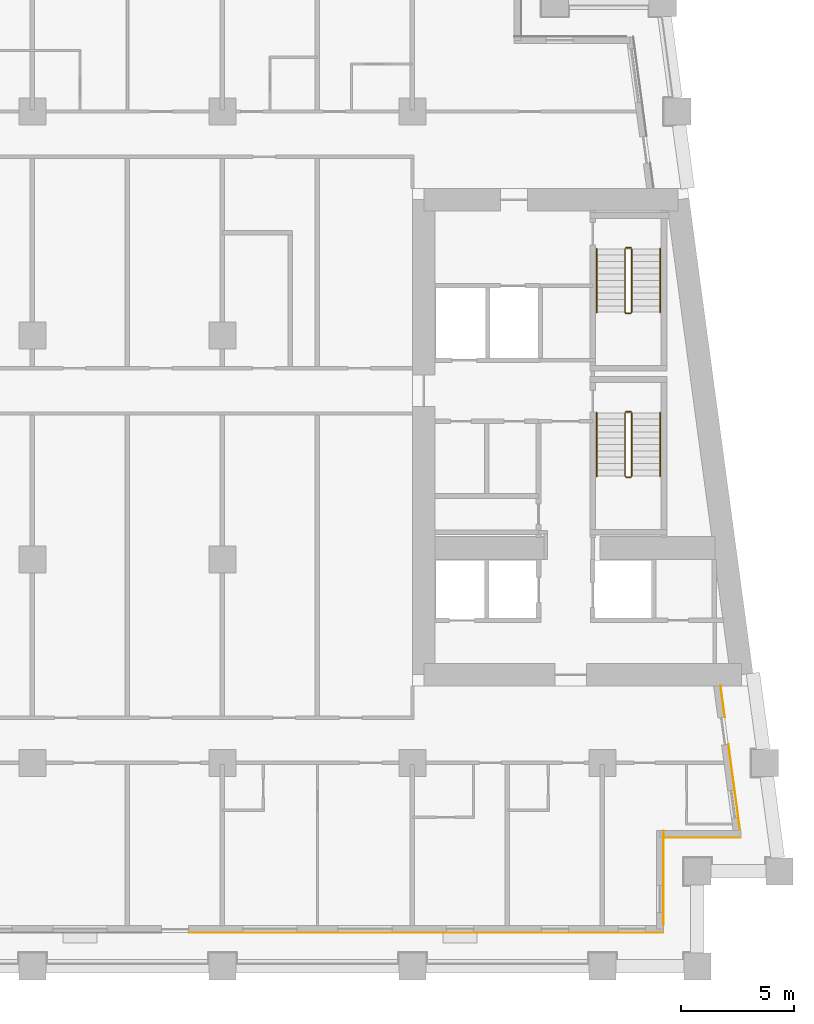
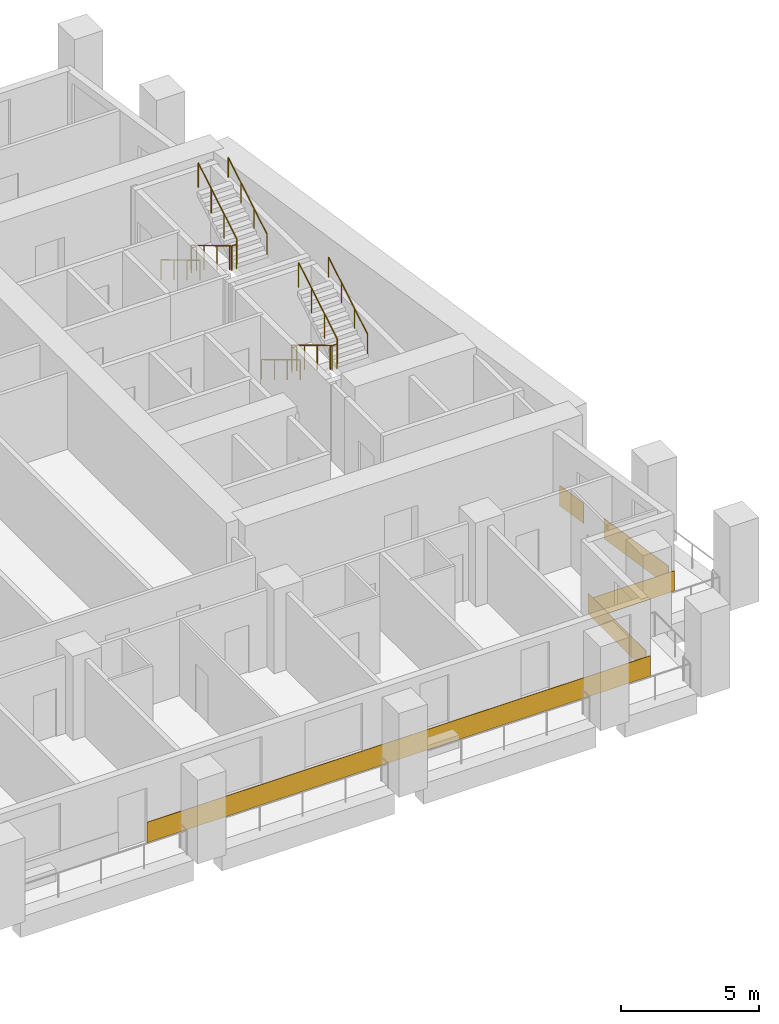
# One storey, part 11 of 13: 8 railings, 5 coverings.
"""IFC4 building model written with IfcOpenShell, lengths in metres."""

import ifcopenshell
import ifcopenshell.guid

model = None  # the IFC model being written
_history = None  # IfcOwnerHistory: only IFC2X3 demands one
_inside = {}  # id of a spatial element -> (the spatial element, [elements in it])
_under = {}  # id of a project, library or spatial element -> (it, [spatial elements below it])
_declared = {}  # id of a project -> (the project, [libraries it declares])
_typed = {}  # id of a type object -> (the type object, [elements of that type])
_made_of = {}  # id of a material, layer set ... -> (it, [elements and type objects made of it])


def new_model(schema):
    """Start an empty IFC model of exactly this schema.

    Asked for "IFC4X3", IfcOpenShell would pick the latest addendum, in which some entities
    have other attributes; the version numbers below select the first issue.
    IFC2X3 requires an IfcOwnerHistory on every rooted entity: one is made here for all.
    """
    global model, _history
    if schema == "IFC4X3":
        model = ifcopenshell.file(schema_version=(4, 3, 0, 0))
    else:
        model = ifcopenshell.file(schema=schema)
    _inside.clear()
    _under.clear()
    _declared.clear()
    _typed.clear()
    _made_of.clear()
    _history = None
    if model.schema == "IFC2X3":
        org = make("IfcOrganization", Name="unknown")
        user = make(
            "IfcPersonAndOrganization",
            ThePerson=make("IfcPerson", FamilyName="unknown"),
            TheOrganization=org,
        )
        app = make(
            "IfcApplication",
            ApplicationDeveloper=org,
            Version="unknown",
            ApplicationFullName="unknown",
            ApplicationIdentifier="unknown",
        )
        _history = make(
            "IfcOwnerHistory",
            OwningUser=user,
            OwningApplication=app,
            ChangeAction="ADDED",
            CreationDate=0,
        )
    return model


def make(cls, **values):
    """One entity of the class cls with the attributes given. An attribute that is None is left unset."""
    return model.create_entity(
        cls, **{name: value for name, value in values.items() if value is not None}
    )


def rooted(cls, **values):
    """An entity with a GlobalId (a new one), such as an element, a storey or a relation."""
    return make(cls, GlobalId=ifcopenshell.guid.new(), OwnerHistory=_history, **values)


def si_unit(unit_type, name, prefix=None):
    """IfcSIUnit, for example si_unit("LENGTHUNIT", "METRE", prefix="MILLI")."""
    return make("IfcSIUnit", UnitType=unit_type, Prefix=prefix, Name=name)


def assignment(units):
    """IfcUnitAssignment: the units of a project."""
    return None if units is None else make("IfcUnitAssignment", Units=units)


def point(xyz):
    """IfcCartesianPoint."""
    return None if xyz is None else make("IfcCartesianPoint", Coordinates=xyz)


def direction(xyz):
    """IfcDirection."""
    return None if xyz is None else make("IfcDirection", DirectionRatios=xyz)


def frame(location, z_axis=None, x_axis=None):
    """IfcAxis2Placement3D, a coordinate frame: its origin and axes. An axis left out is left unset."""
    return make(
        "IfcAxis2Placement3D",
        Location=point(location),
        Axis=direction(z_axis),
        RefDirection=direction(x_axis),
    )


def frame_2d(location, x_axis=None):
    """IfcAxis2Placement2D, a coordinate frame in the plane: its origin and x axis."""
    return make(
        "IfcAxis2Placement2D", Location=point(location), RefDirection=direction(x_axis)
    )


def origin():
    """The frame at (0, 0, 0) with its axes left unset."""
    return frame((0.0, 0.0, 0.0))


def origin_2d():
    """The frame at (0, 0) in the plane with its x axis left unset."""
    return frame_2d((0.0, 0.0))


def place(relative_to, where):
    """IfcLocalPlacement: puts the frame where relative to a parent placement (None: the world)."""
    return make(
        "IfcLocalPlacement", PlacementRelTo=relative_to, RelativePlacement=where
    )


def context(
    kind, dimensions, precision=None, world=None, true_north=None, identifier=None
):
    """IfcGeometricRepresentationContext, for example the 3D "Model" context."""
    return make(
        "IfcGeometricRepresentationContext",
        ContextIdentifier=identifier,
        ContextType=kind,
        CoordinateSpaceDimension=dimensions,
        Precision=precision,
        WorldCoordinateSystem=world,
        TrueNorth=true_north,
    )


def subcontext(parent, identifier, kind, view, scale=None):
    """IfcGeometricRepresentationSubContext, for example "Body" below "Model"."""
    return make(
        "IfcGeometricRepresentationSubContext",
        ContextIdentifier=identifier,
        ContextType=kind,
        ParentContext=parent,
        TargetScale=scale,
        TargetView=view,
    )


def project(units=None, contexts=None):
    """IfcProject with its units and contexts."""
    return rooted(
        "IfcProject",
        Name="project",
        RepresentationContexts=contexts,
        UnitsInContext=assignment(units),
    )


def spatial(cls, under=None, at=None, **own):
    """A site, building, storey or space (cls), placed at a placement, below another one or the project."""
    s = rooted(cls, ObjectPlacement=at, **own)
    if under is not None:
        _under.setdefault(under.id(), (under, []))[1].append(s)
    return s


def profile(cls, at=None, kind="AREA", **sizes):
    """A parametric profile (cls). Its sizes go by their IFC names, for example OverallWidth=200.0."""
    return make(cls, ProfileType=kind, Position=at, **sizes)


def rectangle(**sizes):
    """IfcRectangleProfileDef."""
    return profile("IfcRectangleProfileDef", **sizes)


def circle(**sizes):
    """IfcCircleProfileDef."""
    return profile("IfcCircleProfileDef", **sizes)


def extrude(swept, where, along, depth):
    """IfcExtrudedAreaSolid: the profile swept, set in the frame where, extruded along a direction by depth."""
    return make(
        "IfcExtrudedAreaSolid",
        SweptArea=swept,
        Position=where,
        ExtrudedDirection=direction(along),
        Depth=depth,
    )


def shape(context_of_items, identifier, shape_type, items):
    """IfcShapeRepresentation: the items that make up one representation, for example the "Body"."""
    return make(
        "IfcShapeRepresentation",
        ContextOfItems=context_of_items,
        RepresentationIdentifier=identifier,
        RepresentationType=shape_type,
        Items=items,
    )


def material(Name=None, Category=None):
    """IfcMaterial."""
    return make("IfcMaterial", Name=Name, Category=Category)


def layer(
    of_material, thickness, ventilated=None, Name=None, Category=None, Priority=None
):
    """IfcMaterialLayer: one layer of a wall or slab, of a material (None: an air gap)."""
    return make(
        "IfcMaterialLayer",
        Material=of_material,
        LayerThickness=thickness,
        IsVentilated=ventilated,
        Name=Name,
        Category=Category,
        Priority=Priority,
    )


def layer_set(layers, Name=None):
    """IfcMaterialLayerSet."""
    return make("IfcMaterialLayerSet", MaterialLayers=layers, LayerSetName=Name)


def made_of(thing, what):
    """Note that an element or type object is made of a material, layer set ...; save() writes the relation."""
    if what is not None:
        _made_of.setdefault(what.id(), (what, []))[1].append(thing)
    return thing


def type_object(cls, material=None, **own):
    """A type object (cls), such as IfcWallType, which elements share."""
    return made_of(rooted(cls, **own), material)


def element(
    cls,
    number,
    at=None,
    inside=None,
    cuts=None,
    type_object=None,
    material=None,
    context=None,
    identifier="Body",
    shape_type=None,
    held_by="IfcProductDefinitionShape",
    body=None,
    shapes=None,
    **own,
):
    """One element of the class cls, such as IfcWall. Its Tag is "e" and its number.

    at: its placement. inside: the storey or other place that contains it. cuts: it is an
    opening in that element (IfcRelVoidsElement). A single representation is given by context,
    identifier, shape_type and body (its items); several are given by shapes. held_by: the class
    of the entity that holds the representations. save() writes the other relations.
    """
    e = rooted(cls, Tag="e%d" % number, ObjectPlacement=at, **own)
    if body is not None:
        shapes = [shape(context, identifier, shape_type, body)]
    if shapes is not None:
        e.Representation = make(held_by, Representations=shapes)
    if inside is not None:
        _inside.setdefault(inside.id(), (inside, []))[1].append(e)
    if cuts is not None:
        rooted(
            "IfcRelVoidsElement", RelatingBuildingElement=cuts, RelatedOpeningElement=e
        )
    if type_object is not None:
        _typed.setdefault(type_object.id(), (type_object, []))[1].append(e)
    return made_of(e, material)


def aggregate(whole, parts):
    """IfcRelAggregates: a whole, such as a stair, and the parts it consists of."""
    return rooted("IfcRelAggregates", RelatingObject=whole, RelatedObjects=parts)


def save(model, path):
    """Write the relations noted so far, then the file.

    IfcRelAggregates (storeys below a building ...), IfcRelContainedInSpatialStructure (elements
    in a storey), IfcRelDefinesByType, IfcRelAssociatesMaterial and IfcRelDeclares: one each for
    every whole, place, type object, material and project.
    """
    for whole, parts in _under.values():
        aggregate(whole, parts)
    for where, things in _inside.values():
        rooted(
            "IfcRelContainedInSpatialStructure",
            RelatedElements=things,
            RelatingStructure=where,
        )
    for kind, things in _typed.values():
        rooted("IfcRelDefinesByType", RelatedObjects=things, RelatingType=kind)
    for what, things in _made_of.values():
        rooted("IfcRelAssociatesMaterial", RelatedObjects=things, RelatingMaterial=what)
    for by, libraries in _declared.values():
        rooted("IfcRelDeclares", RelatingContext=by, RelatedDefinitions=libraries)
    model.write(path)


model = new_model("IFC4")

# Units and contexts
model_context = context("Model", 3, precision=1e-05, world=origin(), true_north=direction((0.0, 1.0)))
body_context = subcontext(model_context, "Body", "Model", "MODEL_VIEW")
ifc_project = project(units=[si_unit("LENGTHUNIT", "METRE"), si_unit("AREAUNIT", "SQUARE_METRE"), si_unit("VOLUMEUNIT", "CUBIC_METRE"), si_unit("PLANEANGLEUNIT", "RADIAN"), si_unit("MASSUNIT", "GRAM", prefix="KILO")], contexts=[model_context])

# Site, building, storey
site_placement = place(None, origin())
site = spatial("IfcSite", under=ifc_project, at=site_placement, CompositionType="ELEMENT")
building_placement = place(site_placement, origin())
building = spatial("IfcBuilding", under=site, at=building_placement, Name="Candeia Pilgrim Tower and Theatre", CompositionType="ELEMENT")
storey_placement = place(building_placement, frame((0.0, 0.0, 113.199951171875)))
storey = spatial("IfcBuildingStorey", under=building, at=storey_placement, Name="L26", CompositionType="ELEMENT", Elevation=113.199951171875)

# Coverings
ifc_material_1 = material(Name="Glazed ceramic tile red")
ifc_layer = layer(ifc_material_1, 0.02001953125)
ifc_layer_set = layer_set([ifc_layer], Name="Glazed ceramic tile red")
covering_type = type_object("IfcCoveringType", Name="Glazed ceramic tile red", PredefinedType="CLADDING", material=ifc_layer_set)
covering_1_placement = place(storey_placement, frame((126.60009765625, 99.489990234375, 0.0), z_axis=(0.0, 0.0, 1.0), x_axis=(1.0, 0.0, 0.0)))
element("IfcCovering", 1, at=covering_1_placement, inside=storey, type_object=covering_type, Name="Tile cladding red L26", PredefinedType="CLADDING", context=body_context, shape_type="SweptSolid", body=[
    extrude(rectangle(XDim=21.0, YDim=0.02001953125, at=origin_2d()), origin(), (0.0, 0.0, 1.0), 0.89990234375),
])
covering_2_placement = place(storey_placement, frame((137.110107421875, 101.909912109375, 0.0), z_axis=(0.0, 0.0, 1.0), x_axis=(0.0, 1.0, 0.0)))
element("IfcCovering", 2, at=covering_2_placement, inside=storey, type_object=covering_type, Name="Tile cladding red L26", PredefinedType="CLADDING", context=body_context, shape_type="SweptSolid", body=[
    extrude(rectangle(XDim=4.179931640625, YDim=0.02001953125, at=origin_2d()), origin(), (0.0, 0.0, 1.0), 0.89990234375),
])
covering_3_placement = place(storey_placement, frame((138.819580078125, 103.68994140625, 0.0), z_axis=(0.0, 0.0, 1.0), x_axis=(1.0, 0.0, 0.0)))
element("IfcCovering", 3, at=covering_3_placement, inside=storey, type_object=covering_type, Name="Tile cladding red L26", PredefinedType="CLADDING", context=body_context, shape_type="SweptSolid", body=[
    extrude(rectangle(XDim=3.399169921875, YDim=0.02001953125, at=origin_2d()), origin(), (0.0, 0.0, 1.0), 0.89990234375),
])
covering_4_placement = place(storey_placement, frame((140.228515625, 105.933349609375, 0.0), z_axis=(0.0, 0.0, 1.0), x_axis=(-0.133412012145, 0.991060661622, 0.0)))
element("IfcCovering", 4, at=covering_4_placement, inside=storey, type_object=covering_type, Name="Tile cladding red L26", PredefinedType="CLADDING", context=body_context, shape_type="SweptSolid", body=[
    extrude(rectangle(XDim=3.821044921875, YDim=0.02001953125, at=origin_2d()), origin(), (0.0, 0.0, 1.0), 0.89990234375),
])
covering_5_placement = place(storey_placement, frame((139.718994140625, 109.71875, 0.0), z_axis=(0.0, 0.0, 1.0), x_axis=(-0.133412012145, 0.991060661622, 0.0)))
element("IfcCovering", 5, at=covering_5_placement, inside=storey, type_object=covering_type, Name="Tile cladding red L26", PredefinedType="CLADDING", context=body_context, shape_type="SweptSolid", body=[
    extrude(rectangle(XDim=1.41796875, YDim=0.02001953125, at=origin_2d()), origin(), (0.0, 0.0, 1.0), 0.89990234375),
])

# Railings
ifc_material_2 = material(Name="Stainless steel balustrade", Category="steel")
railing_type_1 = type_object("IfcRailingType", Name="RL-GUARD-1100", PredefinedType="GUARDRAIL", material=ifc_material_2)
railing_1_placement = place(storey_placement, frame((135.39794921875, 122.47509765625, 0.168212890625)))
element("IfcRailing", 6, at=railing_1_placement, inside=storey, type_object=railing_type_1, Name="L26 ST3 stair guard 1", PredefinedType="GUARDRAIL", context=body_context, shape_type="SweptSolid", body=[
    extrude(circle(Radius=0.02392578125, at=origin_2d()), frame((0.0, 0.0, 1.076171875), z_axis=(0.0, -0.857242210791, 0.514913383045), x_axis=(1.0, 0.0, 0.0)), (0.0, 0.0, 1.0), 3.266357421875),
    extrude(circle(Radius=0.02392578125, at=origin_2d()), frame((0.0, -2.800048828125, 2.7578125), z_axis=(0.707106781187, -0.707106781187, 0.0), x_axis=(0.707106781187, 0.707106781187, 0.0)), (0.0, 0.0, 1.0), 0.07080078125),
    extrude(circle(Radius=0.02392578125, at=origin_2d()), frame((0.050048828125, -2.85009765625, 2.7578125), z_axis=(1.0, 0.0, 0.0), x_axis=(0.0, 1.0, 0.0)), (0.0, 0.0, 1.0), 0.199951171875),
    extrude(circle(Radius=0.02392578125, at=origin_2d()), frame((0.25, -2.85009765625, 2.7578125), z_axis=(0.274243871929, 0.274243871929, 0.92172696468), x_axis=(-0.707106781187, 0.707106781187, 0.0)), (0.0, 0.0, 1.0), 0.1826171875),
    extrude(circle(Radius=0.02392578125, at=origin_2d()), frame((0.300048828125, -2.800048828125, 2.92626953125), z_axis=(0.0, 0.857275202839, 0.514858452973), x_axis=(-1.0, 0.0, 0.0)), (0.0, 0.0, 1.0), 3.26611328125),
    extrude(circle(Radius=0.02099609375, at=origin_2d()), origin(), (0.0, 0.0, 1.0), 1.052001953125),
    extrude(circle(Radius=0.02099609375, at=origin_2d()), frame((0.0, -0.933349609375, 0.560546875)), (0.0, 0.0, 1.0), 1.052001953125),
    extrude(circle(Radius=0.02099609375, at=origin_2d()), frame((0.0, -1.86669921875, 1.121337890625)), (0.0, 0.0, 1.0), 1.052001953125),
    extrude(circle(Radius=0.02099609375, at=origin_2d()), frame((0.0, -2.800048828125, 1.681884765625)), (0.0, 0.0, 1.0), 1.052001953125),
    extrude(circle(Radius=0.02099609375, at=origin_2d()), frame((0.050048828125, -2.85009765625, 1.681884765625)), (0.0, 0.0, 1.0), 1.052001953125),
    extrude(circle(Radius=0.02099609375, at=origin_2d()), frame((0.25, -2.85009765625, 1.681884765625)), (0.0, 0.0, 1.0), 1.052001953125),
    extrude(circle(Radius=0.02099609375, at=origin_2d()), frame((0.300048828125, -2.800048828125, 1.85009765625)), (0.0, 0.0, 1.0), 1.052001953125),
    extrude(circle(Radius=0.02099609375, at=origin_2d()), frame((0.300048828125, -1.86669921875, 2.41064453125)), (0.0, 0.0, 1.0), 1.052001953125),
    extrude(circle(Radius=0.02099609375, at=origin_2d()), frame((0.300048828125, -0.933349609375, 2.97119140625)), (0.0, 0.0, 1.0), 1.052001953125),
    extrude(circle(Radius=0.02099609375, at=origin_2d()), frame((0.300048828125, 0.0, 3.53173828125)), (0.0, 0.0, 1.0), 1.052001953125),
])
railing_2_placement = place(storey_placement, frame((135.447998046875, 122.52490234375, 0.0)))
element("IfcRailing", 7, at=railing_2_placement, inside=storey, type_object=railing_type_1, Name="L26 ST3 stair guard 2", PredefinedType="GUARDRAIL", context=body_context, shape_type="SweptSolid", body=[
    extrude(circle(Radius=0.02392578125, at=origin_2d()), frame((0.0, 0.0, 1.076171875), z_axis=(1.0, 0.0, 0.0), x_axis=(0.0, 1.0, 0.0)), (0.0, 0.0, 1.0), 0.199951171875),
    extrude(circle(Radius=0.02099609375, at=origin_2d()), origin(), (0.0, 0.0, 1.0), 1.052001953125),
    extrude(circle(Radius=0.02099609375, at=origin_2d()), frame((0.199951171875, 0.0, 0.0)), (0.0, 0.0, 1.0), 1.052001953125),
])
railing_3_placement = place(storey_placement, frame((135.39794921875, 129.72509765625, 0.168212890625)))
element("IfcRailing", 8, at=railing_3_placement, inside=storey, type_object=railing_type_1, Name="L26 ST4 stair guard 1", PredefinedType="GUARDRAIL", context=body_context, shape_type="SweptSolid", body=[
    extrude(circle(Radius=0.02392578125, at=origin_2d()), frame((0.0, 0.0, 1.076171875), z_axis=(0.0, -0.857242210791, 0.514913383045), x_axis=(1.0, 0.0, 0.0)), (0.0, 0.0, 1.0), 3.266357421875),
    extrude(circle(Radius=0.02392578125, at=origin_2d()), frame((0.0, -2.800048828125, 2.7578125), z_axis=(0.707106781187, -0.707106781187, 0.0), x_axis=(0.707106781187, 0.707106781187, 0.0)), (0.0, 0.0, 1.0), 0.07080078125),
    extrude(circle(Radius=0.02392578125, at=origin_2d()), frame((0.050048828125, -2.85009765625, 2.7578125), z_axis=(1.0, 0.0, 0.0), x_axis=(0.0, 1.0, 0.0)), (0.0, 0.0, 1.0), 0.199951171875),
    extrude(circle(Radius=0.02392578125, at=origin_2d()), frame((0.25, -2.85009765625, 2.7578125), z_axis=(0.274243871929, 0.274243871929, 0.92172696468), x_axis=(-0.707106781187, 0.707106781187, 0.0)), (0.0, 0.0, 1.0), 0.1826171875),
    extrude(circle(Radius=0.02392578125, at=origin_2d()), frame((0.300048828125, -2.800048828125, 2.92626953125), z_axis=(0.0, 0.857275202839, 0.514858452973), x_axis=(-1.0, 0.0, 0.0)), (0.0, 0.0, 1.0), 3.26611328125),
    extrude(circle(Radius=0.02099609375, at=origin_2d()), origin(), (0.0, 0.0, 1.0), 1.052001953125),
    extrude(circle(Radius=0.02099609375, at=origin_2d()), frame((0.0, -0.933349609375, 0.560546875)), (0.0, 0.0, 1.0), 1.052001953125),
    extrude(circle(Radius=0.02099609375, at=origin_2d()), frame((0.0, -1.86669921875, 1.121337890625)), (0.0, 0.0, 1.0), 1.052001953125),
    extrude(circle(Radius=0.02099609375, at=origin_2d()), frame((0.0, -2.800048828125, 1.681884765625)), (0.0, 0.0, 1.0), 1.052001953125),
    extrude(circle(Radius=0.02099609375, at=origin_2d()), frame((0.050048828125, -2.85009765625, 1.681884765625)), (0.0, 0.0, 1.0), 1.052001953125),
    extrude(circle(Radius=0.02099609375, at=origin_2d()), frame((0.25, -2.85009765625, 1.681884765625)), (0.0, 0.0, 1.0), 1.052001953125),
    extrude(circle(Radius=0.02099609375, at=origin_2d()), frame((0.300048828125, -2.800048828125, 1.85009765625)), (0.0, 0.0, 1.0), 1.052001953125),
    extrude(circle(Radius=0.02099609375, at=origin_2d()), frame((0.300048828125, -1.86669921875, 2.41064453125)), (0.0, 0.0, 1.0), 1.052001953125),
    extrude(circle(Radius=0.02099609375, at=origin_2d()), frame((0.300048828125, -0.933349609375, 2.97119140625)), (0.0, 0.0, 1.0), 1.052001953125),
    extrude(circle(Radius=0.02099609375, at=origin_2d()), frame((0.300048828125, 0.0, 3.53173828125)), (0.0, 0.0, 1.0), 1.052001953125),
])
railing_4_placement = place(storey_placement, frame((135.447998046875, 129.77490234375, 0.0)))
element("IfcRailing", 9, at=railing_4_placement, inside=storey, type_object=railing_type_1, Name="L26 ST4 stair guard 2", PredefinedType="GUARDRAIL", context=body_context, shape_type="SweptSolid", body=[
    extrude(circle(Radius=0.02392578125, at=origin_2d()), frame((0.0, 0.0, 1.076171875), z_axis=(1.0, 0.0, 0.0), x_axis=(0.0, 1.0, 0.0)), (0.0, 0.0, 1.0), 0.199951171875),
    extrude(circle(Radius=0.02099609375, at=origin_2d()), origin(), (0.0, 0.0, 1.0), 1.052001953125),
    extrude(circle(Radius=0.02099609375, at=origin_2d()), frame((0.199951171875, 0.0, 0.0)), (0.0, 0.0, 1.0), 1.052001953125),
])
ifc_material_3 = material(Name="Stainless steel handrail", Category="steel")
railing_type_2 = type_object("IfcRailingType", Name="RL-HANDRAIL-900", PredefinedType="HANDRAIL", material=ifc_material_3)
railing_5_placement = place(storey_placement, frame((134.14794921875, 122.47509765625, 0.168212890625)))
element("IfcRailing", 10, at=railing_5_placement, inside=storey, type_object=railing_type_2, Name="L26 ST3 stair handrail 1", PredefinedType="HANDRAIL", context=body_context, shape_type="SweptSolid", body=[
    extrude(circle(Radius=0.02392578125, at=origin_2d()), frame((0.0, 0.0, 0.8759765625), z_axis=(0.0, -0.857242210791, 0.514913383045), x_axis=(1.0, 0.0, 0.0)), (0.0, 0.0, 1.0), 3.266357421875),
    extrude(circle(Radius=0.02099609375, at=origin_2d()), origin(), (0.0, 0.0, 1.0), 0.851806640625),
    extrude(circle(Radius=0.02099609375, at=origin_2d()), frame((0.0, -0.933349609375, 0.560546875)), (0.0, 0.0, 1.0), 0.851806640625),
    extrude(circle(Radius=0.02099609375, at=origin_2d()), frame((0.0, -1.86669921875, 1.121337890625)), (0.0, 0.0, 1.0), 0.851806640625),
    extrude(circle(Radius=0.02099609375, at=origin_2d()), frame((0.0, -2.800048828125, 1.681884765625)), (0.0, 0.0, 1.0), 0.851806640625),
])
railing_6_placement = place(storey_placement, frame((136.947998046875, 119.675048828125, 2.018310546875)))
element("IfcRailing", 11, at=railing_6_placement, inside=storey, type_object=railing_type_2, Name="L26 ST3 stair handrail 2", PredefinedType="HANDRAIL", context=body_context, shape_type="SweptSolid", body=[
    extrude(circle(Radius=0.02392578125, at=origin_2d()), frame((0.0, 0.0, 0.8759765625), z_axis=(0.0, 0.857275202839, 0.514858452973), x_axis=(-1.0, 0.0, 0.0)), (0.0, 0.0, 1.0), 3.26611328125),
    extrude(circle(Radius=0.02099609375, at=origin_2d()), origin(), (0.0, 0.0, 1.0), 0.851806640625),
    extrude(circle(Radius=0.02099609375, at=origin_2d()), frame((0.0, 0.933349609375, 0.560546875)), (0.0, 0.0, 1.0), 0.851806640625),
    extrude(circle(Radius=0.02099609375, at=origin_2d()), frame((0.0, 1.86669921875, 1.12109375)), (0.0, 0.0, 1.0), 0.851806640625),
    extrude(circle(Radius=0.02099609375, at=origin_2d()), frame((0.0, 2.800048828125, 1.681640625)), (0.0, 0.0, 1.0), 0.851806640625),
])
railing_7_placement = place(storey_placement, frame((134.14794921875, 129.72509765625, 0.168212890625)))
element("IfcRailing", 12, at=railing_7_placement, inside=storey, type_object=railing_type_2, Name="L26 ST4 stair handrail 1", PredefinedType="HANDRAIL", context=body_context, shape_type="SweptSolid", body=[
    extrude(circle(Radius=0.02392578125, at=origin_2d()), frame((0.0, 0.0, 0.8759765625), z_axis=(0.0, -0.857242210791, 0.514913383045), x_axis=(1.0, 0.0, 0.0)), (0.0, 0.0, 1.0), 3.266357421875),
    extrude(circle(Radius=0.02099609375, at=origin_2d()), origin(), (0.0, 0.0, 1.0), 0.851806640625),
    extrude(circle(Radius=0.02099609375, at=origin_2d()), frame((0.0, -0.933349609375, 0.560546875)), (0.0, 0.0, 1.0), 0.851806640625),
    extrude(circle(Radius=0.02099609375, at=origin_2d()), frame((0.0, -1.86669921875, 1.121337890625)), (0.0, 0.0, 1.0), 0.851806640625),
    extrude(circle(Radius=0.02099609375, at=origin_2d()), frame((0.0, -2.800048828125, 1.681884765625)), (0.0, 0.0, 1.0), 0.851806640625),
])
railing_8_placement = place(storey_placement, frame((136.947998046875, 126.925048828125, 2.018310546875)))
element("IfcRailing", 13, at=railing_8_placement, inside=storey, type_object=railing_type_2, Name="L26 ST4 stair handrail 2", PredefinedType="HANDRAIL", context=body_context, shape_type="SweptSolid", body=[
    extrude(circle(Radius=0.02392578125, at=origin_2d()), frame((0.0, 0.0, 0.8759765625), z_axis=(0.0, 0.857275202839, 0.514858452973), x_axis=(-1.0, 0.0, 0.0)), (0.0, 0.0, 1.0), 3.26611328125),
    extrude(circle(Radius=0.02099609375, at=origin_2d()), origin(), (0.0, 0.0, 1.0), 0.851806640625),
    extrude(circle(Radius=0.02099609375, at=origin_2d()), frame((0.0, 0.933349609375, 0.560546875)), (0.0, 0.0, 1.0), 0.851806640625),
    extrude(circle(Radius=0.02099609375, at=origin_2d()), frame((0.0, 1.86669921875, 1.12109375)), (0.0, 0.0, 1.0), 0.851806640625),
    extrude(circle(Radius=0.02099609375, at=origin_2d()), frame((0.0, 2.800048828125, 1.681640625)), (0.0, 0.0, 1.0), 0.851806640625),
])

save(model, "model.ifc")
